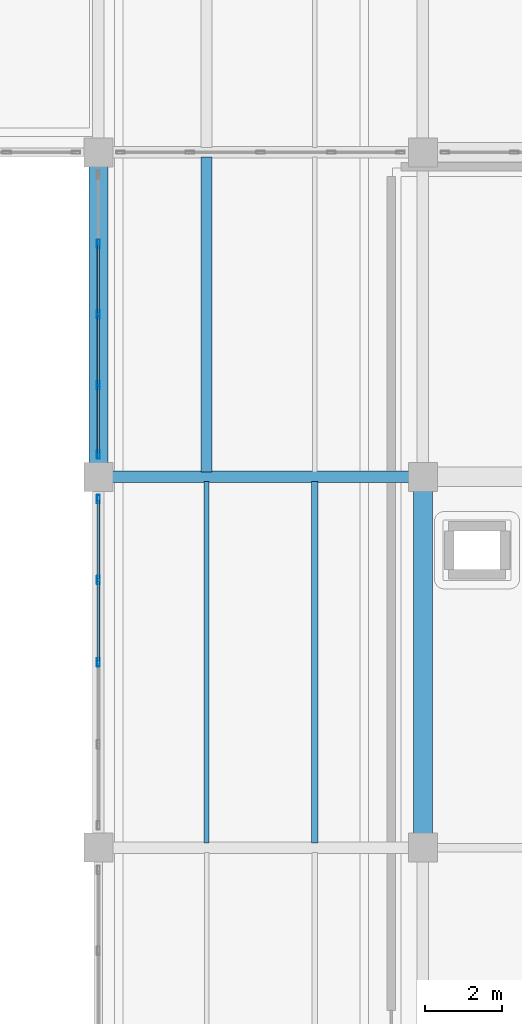
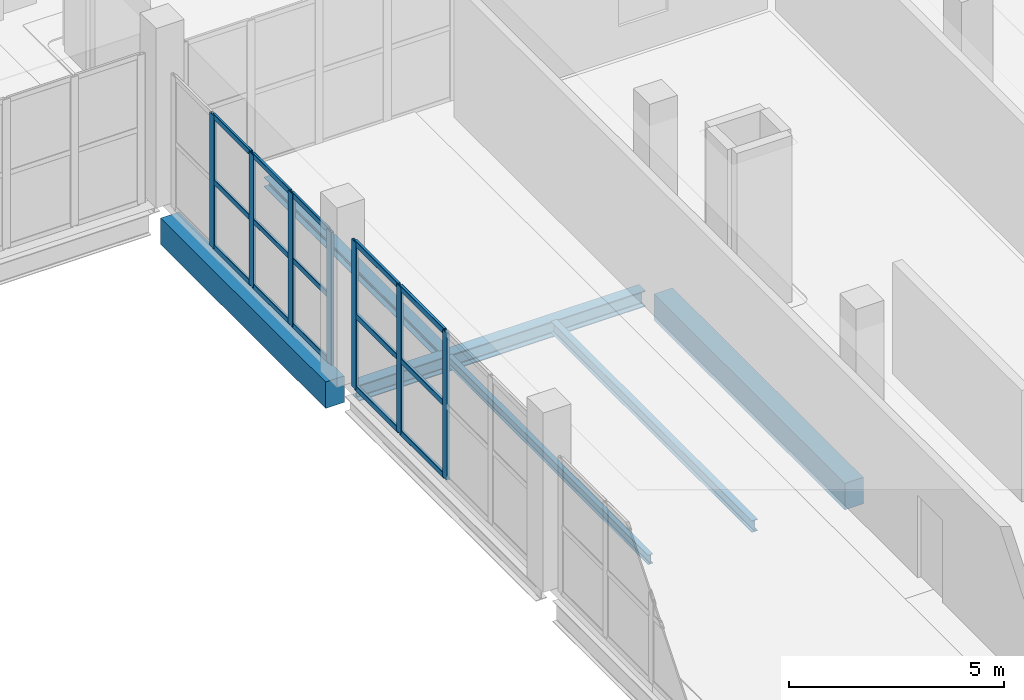
# One storey, part 22 of 66: 22 members, 6 beams, 2 elements without a shape of their own.
"""IFC4 building model written with IfcOpenShell, lengths in metres."""

from ifc_helpers import new_model, si_unit, direction, frame, origin, origin_2d, place, context, subcontext, project, spatial, rectangle, hollow_rectangle, i_section, extrude, material, layer, layer_set, material_profile, profile_set, type_object, element, aggregate, save


model = new_model("IFC4")

# Units and contexts
model_context = context("Model", 3, precision=1e-05, world=origin(), true_north=direction((0.0, 1.0)))
body_context = subcontext(model_context, "Body", "Model", "MODEL_VIEW")
ifc_project = project(units=[si_unit("LENGTHUNIT", "METRE"), si_unit("AREAUNIT", "SQUARE_METRE"), si_unit("VOLUMEUNIT", "CUBIC_METRE"), si_unit("PLANEANGLEUNIT", "RADIAN"), si_unit("MASSUNIT", "GRAM", prefix="KILO")], contexts=[model_context])

# Site, building, storey
site_placement = place(None, origin())
site = spatial("IfcSite", under=ifc_project, at=site_placement, CompositionType="ELEMENT")
building_placement = place(site_placement, origin())
building = spatial("IfcBuilding", under=site, at=building_placement, Name="Zulmaris Art Gallery", CompositionType="ELEMENT")
storey_placement = place(building_placement, frame((0.0, 0.0, 5.39990234375)))
storey = spatial("IfcBuildingStorey", under=building, at=storey_placement, Name="L01", CompositionType="ELEMENT", Elevation=5.39990234375)

# Beams
ifc_material_1 = material(Name="Steel S355J2", Category="steel")
ifc_material_profile_1 = material_profile(ifc_material_1, i_section(OverallWidth=0.300048828125, OverallDepth=0.449951171875, WebThickness=0.013916015625, FlangeThickness=0.02587890625, FilletRadius=0.027099609375, at=origin_2d()), Name="HEB 450")
ifc_profile_set_1 = profile_set([ifc_material_profile_1], Name="Steel S355J2")
beam_type_1 = type_object("IfcBeamType", Name="BEAM-BM13", PredefinedType="BEAM", material=ifc_profile_set_1)
beam_1_placement = place(storey_placement, frame((125.159912109375, 50.39990234375, -0.554931640625), z_axis=(1.0, 0.0, 0.0), x_axis=(0.0, 1.0, 0.0)))
element("IfcBeam", 1, at=beam_1_placement, inside=storey, type_object=beam_type_1, Name="L01 X-girder (124.8..133.2, y=50.4)", PredefinedType="BEAM", context=body_context, shape_type="SweptSolid", body=[
    extrude(i_section(OverallWidth=0.300048828125, OverallDepth=0.449951171875, WebThickness=0.013916015625, FlangeThickness=0.02587890625, FilletRadius=0.027099609375, at=origin_2d()), origin(), (0.0, 0.0, 1.0), 7.68017578125),
])
ifc_material_2 = material(Name="Concrete C40/50", Category="concrete")
ifc_material_profile_2 = material_profile(ifc_material_2, rectangle(XDim=0.5, YDim=0.75, at=origin_2d()), Name="RC 500x750")
ifc_profile_set_2 = profile_set([ifc_material_profile_2], Name="Concrete C40/50")
beam_type_2 = type_object("IfcBeamType", Name="BEAM-BM20", PredefinedType="BEAM", material=ifc_profile_set_2)
beam_2_placement = place(storey_placement, frame((124.800048828125, 50.760009765625, -0.704833984375), z_axis=(0.0, 1.0, 0.0), x_axis=(-1.0, 0.0, 0.0)))
element("IfcBeam", 2, at=beam_2_placement, inside=storey, type_object=beam_type_2, Name="L01 Y-girder (x=124.8, 50.4..58.8)", PredefinedType="BEAM", context=body_context, shape_type="SweptSolid", body=[
    extrude(rectangle(XDim=0.5, YDim=0.75, at=origin_2d()), origin(), (0.0, 0.0, 1.0), 7.679931640625),
])
beam_3_placement = place(storey_placement, frame((133.199951171875, 41.159912109375, -0.704833984375), z_axis=(0.0, 1.0, 0.0), x_axis=(-1.0, 0.0, 0.0)))
element("IfcBeam", 3, at=beam_3_placement, inside=storey, type_object=beam_type_2, Name="L01 Y-girder (x=133.2, 40.8..50.4)", PredefinedType="BEAM", context=body_context, shape_type="SweptSolid", body=[
    extrude(rectangle(XDim=0.5, YDim=0.75, at=origin_2d()), origin(), (0.0, 0.0, 1.0), 8.880126953125),
])
ifc_material_profile_3 = material_profile(ifc_material_1, i_section(OverallWidth=0.135009765625, OverallDepth=0.27001953125, WebThickness=0.006591796875, FlangeThickness=0.01025390625, FilletRadius=0.014892578125, at=origin_2d()), Name="IPE 270")
ifc_profile_set_3 = profile_set([ifc_material_profile_3], Name="Steel S355J2")
beam_type_3 = type_object("IfcBeamType", Name="BEAM-JS02", PredefinedType="JOIST", material=ifc_profile_set_3)
beam_4_placement = place(storey_placement, frame((127.60009765625, 40.925048828125, -0.46484375), z_axis=(0.0, 1.0, 0.0), x_axis=(-1.0, 0.0, 0.0)))
element("IfcBeam", 4, at=beam_4_placement, inside=storey, type_object=beam_type_3, Name="L01 secondary joist at x=127.6", PredefinedType="JOIST", context=body_context, shape_type="SweptSolid", body=[
    extrude(i_section(OverallWidth=0.135009765625, OverallDepth=0.27001953125, WebThickness=0.006591796875, FlangeThickness=0.01025390625, FilletRadius=0.014892578125, at=origin_2d()), origin(), (0.0, 0.0, 1.0), 9.349853515625),
])
ifc_material_profile_4 = material_profile(ifc_material_1, i_section(OverallWidth=0.159912109375, OverallDepth=0.330078125, WebThickness=0.007568359375, FlangeThickness=0.011474609375, FilletRadius=0.01806640625, at=origin_2d()), Name="IPE 330")
ifc_profile_set_4 = profile_set([ifc_material_profile_4], Name="Steel S355J2")
beam_type_4 = type_object("IfcBeamType", Name="BEAM-JS03", PredefinedType="JOIST", material=ifc_profile_set_4)
beam_5_placement = place(storey_placement, frame((130.39990234375, 40.925048828125, -0.494873046875), z_axis=(0.0, 1.0, 0.0), x_axis=(-1.0, 0.0, 0.0)))
element("IfcBeam", 5, at=beam_5_placement, inside=storey, type_object=beam_type_4, Name="L01 secondary joist at x=130.4", PredefinedType="JOIST", context=body_context, shape_type="SweptSolid", body=[
    extrude(i_section(OverallWidth=0.159912109375, OverallDepth=0.330078125, WebThickness=0.007568359375, FlangeThickness=0.011474609375, FilletRadius=0.01806640625, at=origin_2d()), origin(), (0.0, 0.0, 1.0), 9.349853515625),
])
ifc_material_profile_5 = material_profile(ifc_material_1, i_section(OverallWidth=0.280029296875, OverallDepth=0.27001953125, WebThickness=0.008056640625, FlangeThickness=0.012939453125, FilletRadius=0.02392578125, at=origin_2d()), Name="HEA 280")
ifc_profile_set_5 = profile_set([ifc_material_profile_5], Name="Steel S355J2")
beam_type_5 = type_object("IfcBeamType", Name="BEAM-JS04", PredefinedType="JOIST", material=ifc_profile_set_5)
beam_6_placement = place(storey_placement, frame((127.60009765625, 50.52490234375, -0.46484375), z_axis=(0.0, 1.0, 0.0), x_axis=(-1.0, 0.0, 0.0)))
element("IfcBeam", 6, at=beam_6_placement, inside=storey, type_object=beam_type_5, Name="L01 secondary joist at x=127.6", PredefinedType="JOIST", context=body_context, shape_type="SweptSolid", body=[
    extrude(i_section(OverallWidth=0.280029296875, OverallDepth=0.27001953125, WebThickness=0.008056640625, FlangeThickness=0.012939453125, FilletRadius=0.02392578125, at=origin_2d()), origin(), (0.0, 0.0, 1.0), 8.150146484375),
])

# Curtain wall, members
ifc_material_3 = material(Name="Unitised Low-E Gallery Curtain Wall", Category="aluminium")
ifc_layer = layer(ifc_material_3, 0.179931640625)
ifc_layer_set = layer_set([ifc_layer], Name="Unitised Low-E Gallery Curtain Wall")
curtain_wall_type = type_object("IfcCurtainWallType", Name="CW-CW01", PredefinedType="NOTDEFINED", material=ifc_layer_set)
curtain_wall_1_placement = place(storey_placement, origin())
curtain_wall_1 = element("IfcCurtainWall", 7, at=curtain_wall_1_placement, inside=storey, type_object=curtain_wall_type, Name="L01 curtain wall 102", PredefinedType="NOTDEFINED")
ifc_material_4 = material(Name="Anodised Bronze Aluminium", Category="aluminium")
ifc_material_profile_6 = material_profile(ifc_material_4, hollow_rectangle(XDim=0.074951171875, YDim=0.219970703125, WallThickness=0.0048828125, InnerFilletRadius=0.007568359375, OuterFilletRadius=0.012451171875, at=origin_2d()), Name="ALU 75x220x5")
ifc_profile_set_6 = profile_set([ifc_material_profile_6], Name="Anodised Bronze Aluminium")
member_type_1 = type_object("IfcMemberType", Name="CWMUL-02", PredefinedType="MULLION", material=ifc_profile_set_6)
member_1_placement = place(storey_placement, frame((124.800048828125, 45.60009765625, 0.0), z_axis=(0.0, 0.0, 1.0), x_axis=(-1.0, 0.0, 0.0)))
member_1 = element("IfcMember", 8, at=member_1_placement, type_object=member_type_1, Name="CW01 mullion 3", PredefinedType="MULLION", context=body_context, shape_type="SweptSolid", body=[
    extrude(hollow_rectangle(XDim=0.074951171875, YDim=0.219970703125, WallThickness=0.0048828125, InnerFilletRadius=0.007568359375, OuterFilletRadius=0.012451171875, at=origin_2d()), origin(), (0.0, 0.0, 1.0), 4.170166015625),
])
member_2_placement = place(storey_placement, frame((124.800048828125, 47.72998046875, 0.0), z_axis=(0.0, 0.0, 1.0), x_axis=(-1.0, 0.0, 0.0)))
member_2 = element("IfcMember", 9, at=member_2_placement, type_object=member_type_1, Name="CW01 mullion 4", PredefinedType="MULLION", context=body_context, shape_type="SweptSolid", body=[
    extrude(hollow_rectangle(XDim=0.074951171875, YDim=0.219970703125, WallThickness=0.0048828125, InnerFilletRadius=0.007568359375, OuterFilletRadius=0.012451171875, at=origin_2d()), origin(), (0.0, 0.0, 1.0), 4.170166015625),
])
member_3_placement = place(storey_placement, frame((124.800048828125, 49.822509765625, 0.0), z_axis=(0.0, 0.0, 1.0), x_axis=(-1.0, 0.0, 0.0)))
member_3 = element("IfcMember", 10, at=member_3_placement, type_object=member_type_1, Name="CW01 mullion 5", PredefinedType="MULLION", context=body_context, shape_type="SweptSolid", body=[
    extrude(hollow_rectangle(XDim=0.074951171875, YDim=0.219970703125, WallThickness=0.0048828125, InnerFilletRadius=0.007568359375, OuterFilletRadius=0.012451171875, at=origin_2d()), origin(), (0.0, 0.0, 1.0), 4.170166015625),
])

curtain_wall_2_placement = place(storey_placement, origin())
curtain_wall_2 = element("IfcCurtainWall", 11, at=curtain_wall_2_placement, inside=storey, type_object=curtain_wall_type, Name="L01 curtain wall 103", PredefinedType="NOTDEFINED")
member_4_placement = place(storey_placement, frame((124.800048828125, 50.9775390625, 0.0), z_axis=(0.0, 0.0, 1.0), x_axis=(-1.0, 0.0, 0.0)))
member_4 = element("IfcMember", 12, at=member_4_placement, type_object=member_type_1, Name="CW01 mullion 1", PredefinedType="MULLION", context=body_context, shape_type="SweptSolid", body=[
    extrude(hollow_rectangle(XDim=0.074951171875, YDim=0.219970703125, WallThickness=0.0048828125, InnerFilletRadius=0.007568359375, OuterFilletRadius=0.012451171875, at=origin_2d()), origin(), (0.0, 0.0, 1.0), 3.77001953125),
])
member_5_placement = place(storey_placement, frame((124.800048828125, 52.77001953125, 0.0), z_axis=(0.0, 0.0, 1.0), x_axis=(-1.0, 0.0, 0.0)))
member_5 = element("IfcMember", 13, at=member_5_placement, type_object=member_type_1, Name="CW01 mullion 2", PredefinedType="MULLION", context=body_context, shape_type="SweptSolid", body=[
    extrude(hollow_rectangle(XDim=0.074951171875, YDim=0.219970703125, WallThickness=0.0048828125, InnerFilletRadius=0.007568359375, OuterFilletRadius=0.012451171875, at=origin_2d()), origin(), (0.0, 0.0, 1.0), 3.77001953125),
])
member_6_placement = place(storey_placement, frame((124.800048828125, 54.60009765625, 0.0), z_axis=(0.0, 0.0, 1.0), x_axis=(-1.0, 0.0, 0.0)))
member_6 = element("IfcMember", 14, at=member_6_placement, type_object=member_type_1, Name="CW01 mullion 3", PredefinedType="MULLION", context=body_context, shape_type="SweptSolid", body=[
    extrude(hollow_rectangle(XDim=0.074951171875, YDim=0.219970703125, WallThickness=0.0048828125, InnerFilletRadius=0.007568359375, OuterFilletRadius=0.012451171875, at=origin_2d()), origin(), (0.0, 0.0, 1.0), 3.77001953125),
])
member_7_placement = place(storey_placement, frame((124.800048828125, 56.429931640625, 0.0), z_axis=(0.0, 0.0, 1.0), x_axis=(-1.0, 0.0, 0.0)))
member_7 = element("IfcMember", 15, at=member_7_placement, type_object=member_type_1, Name="CW01 mullion 4", PredefinedType="MULLION", context=body_context, shape_type="SweptSolid", body=[
    extrude(hollow_rectangle(XDim=0.074951171875, YDim=0.219970703125, WallThickness=0.0048828125, InnerFilletRadius=0.007568359375, OuterFilletRadius=0.012451171875, at=origin_2d()), origin(), (0.0, 0.0, 1.0), 3.77001953125),
])
ifc_material_profile_7 = material_profile(ifc_material_4, hollow_rectangle(XDim=0.06494140625, YDim=0.14990234375, WallThickness=0.00390625, InnerFilletRadius=0.006103515625, OuterFilletRadius=0.010009765625, at=origin_2d()), Name="ALU 65x150x4")
ifc_profile_set_7 = profile_set([ifc_material_profile_7], Name="Anodised Bronze Aluminium")
member_type_2 = type_object("IfcMemberType", Name="CWTRN-01", PredefinedType="USERDEFINED", material=ifc_profile_set_7)
member_8_placement = place(storey_placement, frame((124.800048828125, 51.014892578125, 0.03759765625), z_axis=(0.0, 1.0, 0.0), x_axis=(-1.0, 0.0, 0.0)))
member_8 = element("IfcMember", 16, at=member_8_placement, type_object=member_type_2, Name="CW01 transom 1.1", ObjectType="TRANSOM", PredefinedType="USERDEFINED", context=body_context, shape_type="SweptSolid", body=[
    extrude(hollow_rectangle(XDim=0.06494140625, YDim=0.14990234375, WallThickness=0.00390625, InnerFilletRadius=0.006103515625, OuterFilletRadius=0.010009765625, at=origin_2d()), origin(), (0.0, 0.0, 1.0), 1.717529296875),
])
member_9_placement = place(storey_placement, frame((124.800048828125, 51.014892578125, 1.885009765625), z_axis=(0.0, 1.0, 0.0), x_axis=(-1.0, 0.0, 0.0)))
member_9 = element("IfcMember", 17, at=member_9_placement, type_object=member_type_2, Name="CW01 transom 1.2", ObjectType="TRANSOM", PredefinedType="USERDEFINED", context=body_context, shape_type="SweptSolid", body=[
    extrude(hollow_rectangle(XDim=0.06494140625, YDim=0.14990234375, WallThickness=0.00390625, InnerFilletRadius=0.006103515625, OuterFilletRadius=0.010009765625, at=origin_2d()), origin(), (0.0, 0.0, 1.0), 1.717529296875),
])
member_10_placement = place(storey_placement, frame((124.800048828125, 51.014892578125, 3.732666015625), z_axis=(0.0, 1.0, 0.0), x_axis=(-1.0, 0.0, 0.0)))
member_10 = element("IfcMember", 18, at=member_10_placement, type_object=member_type_2, Name="CW01 transom 1.3", ObjectType="TRANSOM", PredefinedType="USERDEFINED", context=body_context, shape_type="SweptSolid", body=[
    extrude(hollow_rectangle(XDim=0.06494140625, YDim=0.14990234375, WallThickness=0.00390625, InnerFilletRadius=0.006103515625, OuterFilletRadius=0.010009765625, at=origin_2d()), origin(), (0.0, 0.0, 1.0), 1.717529296875),
])
member_11_placement = place(storey_placement, frame((124.800048828125, 52.8076171875, 0.03759765625), z_axis=(0.0, 1.0, 0.0), x_axis=(-1.0, 0.0, 0.0)))
member_11 = element("IfcMember", 19, at=member_11_placement, type_object=member_type_2, Name="CW01 transom 2.1", ObjectType="TRANSOM", PredefinedType="USERDEFINED", context=body_context, shape_type="SweptSolid", body=[
    extrude(hollow_rectangle(XDim=0.06494140625, YDim=0.14990234375, WallThickness=0.00390625, InnerFilletRadius=0.006103515625, OuterFilletRadius=0.010009765625, at=origin_2d()), origin(), (0.0, 0.0, 1.0), 1.7548828125),
])
member_12_placement = place(storey_placement, frame((124.800048828125, 52.8076171875, 1.885009765625), z_axis=(0.0, 1.0, 0.0), x_axis=(-1.0, 0.0, 0.0)))
member_12 = element("IfcMember", 20, at=member_12_placement, type_object=member_type_2, Name="CW01 transom 2.2", ObjectType="TRANSOM", PredefinedType="USERDEFINED", context=body_context, shape_type="SweptSolid", body=[
    extrude(hollow_rectangle(XDim=0.06494140625, YDim=0.14990234375, WallThickness=0.00390625, InnerFilletRadius=0.006103515625, OuterFilletRadius=0.010009765625, at=origin_2d()), origin(), (0.0, 0.0, 1.0), 1.7548828125),
])
member_13_placement = place(storey_placement, frame((124.800048828125, 52.8076171875, 3.732666015625), z_axis=(0.0, 1.0, 0.0), x_axis=(-1.0, 0.0, 0.0)))
member_13 = element("IfcMember", 21, at=member_13_placement, type_object=member_type_2, Name="CW01 transom 2.3", ObjectType="TRANSOM", PredefinedType="USERDEFINED", context=body_context, shape_type="SweptSolid", body=[
    extrude(hollow_rectangle(XDim=0.06494140625, YDim=0.14990234375, WallThickness=0.00390625, InnerFilletRadius=0.006103515625, OuterFilletRadius=0.010009765625, at=origin_2d()), origin(), (0.0, 0.0, 1.0), 1.7548828125),
])
member_14_placement = place(storey_placement, frame((124.800048828125, 54.637451171875, 0.03759765625), z_axis=(0.0, 1.0, 0.0), x_axis=(-1.0, 0.0, 0.0)))
member_14 = element("IfcMember", 22, at=member_14_placement, type_object=member_type_2, Name="CW01 transom 3.1", ObjectType="TRANSOM", PredefinedType="USERDEFINED", context=body_context, shape_type="SweptSolid", body=[
    extrude(hollow_rectangle(XDim=0.06494140625, YDim=0.14990234375, WallThickness=0.00390625, InnerFilletRadius=0.006103515625, OuterFilletRadius=0.010009765625, at=origin_2d()), origin(), (0.0, 0.0, 1.0), 1.755126953125),
])
member_15_placement = place(storey_placement, frame((124.800048828125, 54.637451171875, 1.885009765625), z_axis=(0.0, 1.0, 0.0), x_axis=(-1.0, 0.0, 0.0)))
member_15 = element("IfcMember", 23, at=member_15_placement, type_object=member_type_2, Name="CW01 transom 3.2", ObjectType="TRANSOM", PredefinedType="USERDEFINED", context=body_context, shape_type="SweptSolid", body=[
    extrude(hollow_rectangle(XDim=0.06494140625, YDim=0.14990234375, WallThickness=0.00390625, InnerFilletRadius=0.006103515625, OuterFilletRadius=0.010009765625, at=origin_2d()), origin(), (0.0, 0.0, 1.0), 1.755126953125),
])
member_16_placement = place(storey_placement, frame((124.800048828125, 54.637451171875, 3.732666015625), z_axis=(0.0, 1.0, 0.0), x_axis=(-1.0, 0.0, 0.0)))
member_16 = element("IfcMember", 24, at=member_16_placement, type_object=member_type_2, Name="CW01 transom 3.3", ObjectType="TRANSOM", PredefinedType="USERDEFINED", context=body_context, shape_type="SweptSolid", body=[
    extrude(hollow_rectangle(XDim=0.06494140625, YDim=0.14990234375, WallThickness=0.00390625, InnerFilletRadius=0.006103515625, OuterFilletRadius=0.010009765625, at=origin_2d()), origin(), (0.0, 0.0, 1.0), 1.755126953125),
])
aggregate(curtain_wall_2, [member_4, member_5, member_6, member_7, member_8, member_9, member_10, member_11, member_12, member_13, member_14, member_15, member_16])

# Member
ifc_material_profile_8 = material_profile(ifc_material_4, hollow_rectangle(XDim=0.074951171875, YDim=0.159912109375, WallThickness=0.00390625, InnerFilletRadius=0.006103515625, OuterFilletRadius=0.010009765625, at=origin_2d()), Name="ALU 75x160x4")
ifc_profile_set_8 = profile_set([ifc_material_profile_8], Name="Anodised Bronze Aluminium")
member_type_3 = type_object("IfcMemberType", Name="CWTRN-02", PredefinedType="USERDEFINED", material=ifc_profile_set_8)
member_17_placement = place(storey_placement, frame((124.800048828125, 45.637451171875, 0.03759765625), z_axis=(0.0, 1.0, 0.0), x_axis=(-1.0, 0.0, 0.0)))
member_17 = element("IfcMember", 25, at=member_17_placement, type_object=member_type_3, Name="CW01 transom 3.1", ObjectType="TRANSOM", PredefinedType="USERDEFINED", context=body_context, shape_type="SweptSolid", body=[
    extrude(hollow_rectangle(XDim=0.074951171875, YDim=0.159912109375, WallThickness=0.00390625, InnerFilletRadius=0.006103515625, OuterFilletRadius=0.010009765625, at=origin_2d()), origin(), (0.0, 0.0, 1.0), 2.054931640625),
])

member_18_placement = place(storey_placement, frame((124.800048828125, 45.637451171875, 2.085205078125), z_axis=(0.0, 1.0, 0.0), x_axis=(-1.0, 0.0, 0.0)))
member_18 = element("IfcMember", 26, at=member_18_placement, type_object=member_type_3, Name="CW01 transom 3.2", ObjectType="TRANSOM", PredefinedType="USERDEFINED", context=body_context, shape_type="SweptSolid", body=[
    extrude(hollow_rectangle(XDim=0.074951171875, YDim=0.159912109375, WallThickness=0.00390625, InnerFilletRadius=0.006103515625, OuterFilletRadius=0.010009765625, at=origin_2d()), origin(), (0.0, 0.0, 1.0), 2.054931640625),
])

member_19_placement = place(storey_placement, frame((124.800048828125, 45.637451171875, 4.132568359375), z_axis=(0.0, 1.0, 0.0), x_axis=(-1.0, 0.0, 0.0)))
member_19 = element("IfcMember", 27, at=member_19_placement, type_object=member_type_3, Name="CW01 transom 3.3", ObjectType="TRANSOM", PredefinedType="USERDEFINED", context=body_context, shape_type="SweptSolid", body=[
    extrude(hollow_rectangle(XDim=0.074951171875, YDim=0.159912109375, WallThickness=0.00390625, InnerFilletRadius=0.006103515625, OuterFilletRadius=0.010009765625, at=origin_2d()), origin(), (0.0, 0.0, 1.0), 2.054931640625),
])

member_20_placement = place(storey_placement, frame((124.800048828125, 47.767578125, 0.03759765625), z_axis=(0.0, 1.0, 0.0), x_axis=(-1.0, 0.0, 0.0)))
member_20 = element("IfcMember", 28, at=member_20_placement, type_object=member_type_3, Name="CW01 transom 4.1", ObjectType="TRANSOM", PredefinedType="USERDEFINED", context=body_context, shape_type="SweptSolid", body=[
    extrude(hollow_rectangle(XDim=0.074951171875, YDim=0.159912109375, WallThickness=0.00390625, InnerFilletRadius=0.006103515625, OuterFilletRadius=0.010009765625, at=origin_2d()), origin(), (0.0, 0.0, 1.0), 2.017333984375),
])

member_21_placement = place(storey_placement, frame((124.800048828125, 47.767578125, 2.085205078125), z_axis=(0.0, 1.0, 0.0), x_axis=(-1.0, 0.0, 0.0)))
member_21 = element("IfcMember", 29, at=member_21_placement, type_object=member_type_3, Name="CW01 transom 4.2", ObjectType="TRANSOM", PredefinedType="USERDEFINED", context=body_context, shape_type="SweptSolid", body=[
    extrude(hollow_rectangle(XDim=0.074951171875, YDim=0.159912109375, WallThickness=0.00390625, InnerFilletRadius=0.006103515625, OuterFilletRadius=0.010009765625, at=origin_2d()), origin(), (0.0, 0.0, 1.0), 2.017333984375),
])

member_22_placement = place(storey_placement, frame((124.800048828125, 47.767578125, 4.132568359375), z_axis=(0.0, 1.0, 0.0), x_axis=(-1.0, 0.0, 0.0)))
member_22 = element("IfcMember", 30, at=member_22_placement, type_object=member_type_3, Name="CW01 transom 4.3", ObjectType="TRANSOM", PredefinedType="USERDEFINED", context=body_context, shape_type="SweptSolid", body=[
    extrude(hollow_rectangle(XDim=0.074951171875, YDim=0.159912109375, WallThickness=0.00390625, InnerFilletRadius=0.006103515625, OuterFilletRadius=0.010009765625, at=origin_2d()), origin(), (0.0, 0.0, 1.0), 2.017333984375),
])

aggregate(curtain_wall_1, [member_1, member_2, member_3, member_17, member_18, member_19, member_20, member_21, member_22])

save(model, "model.ifc")
